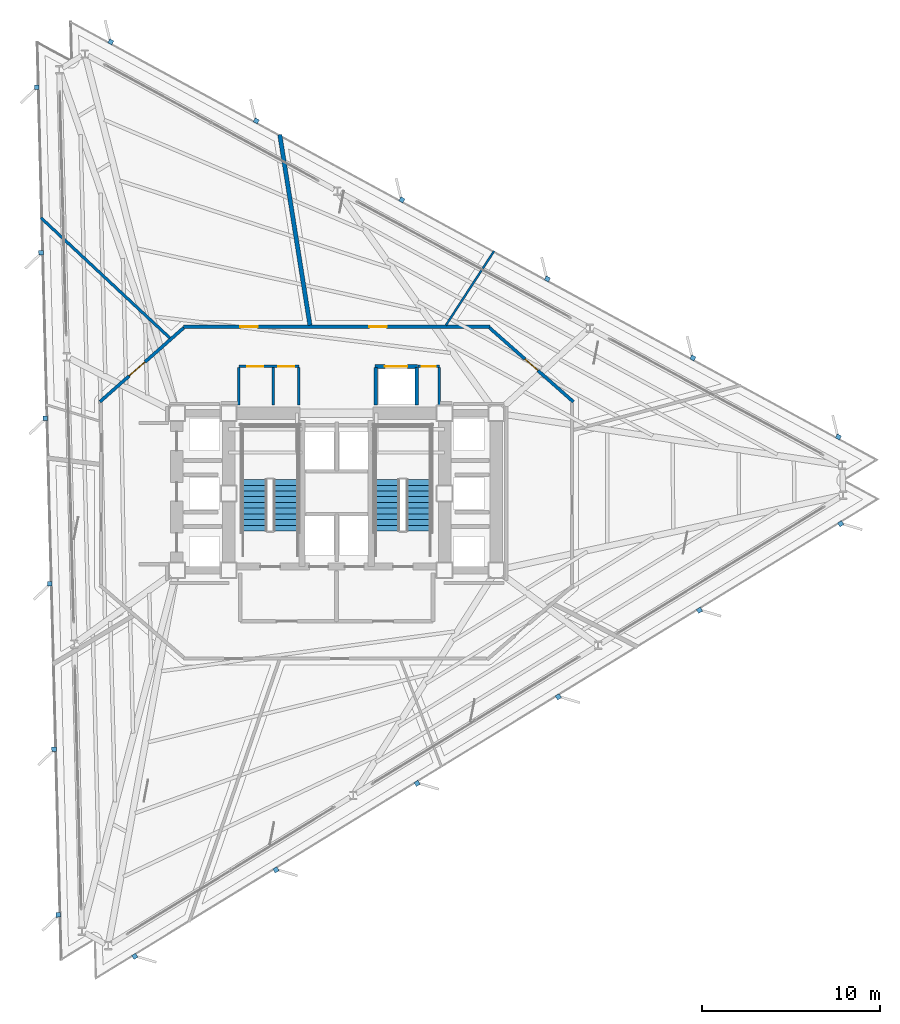
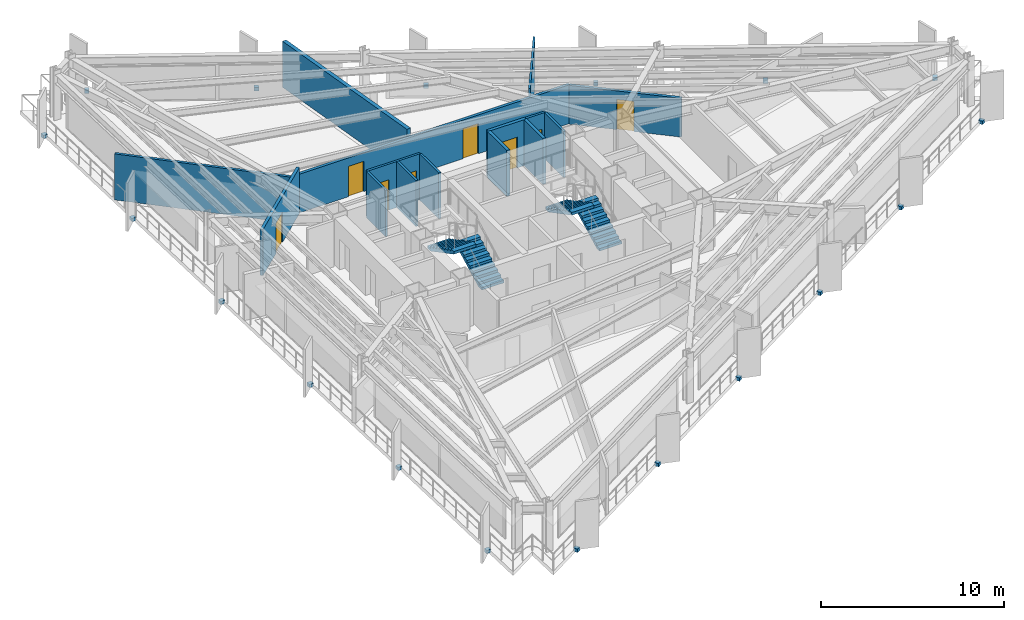
# One storey, part 9 of 14: 18 discrete accessories, 15 walls, 8 doors, 4 stair flights, 8 openings, 2 elements without a shape of their own.
"""IFC4 building model written with IfcOpenShell, lengths in metres."""

from ifc_helpers import new_model, si_unit, direction, frame, frame_2d, origin, origin_2d, place, context, subcontext, project, spatial, polyline, rectangle, outline, extrude, material, layer, layer_set, type_object, element, fill, aggregate, save


model = new_model("IFC4")

# Units and contexts
model_context = context("Model", 3, precision=1e-05, world=origin(), true_north=direction((0.0, 1.0)))
body_context = subcontext(model_context, "Body", "Model", "MODEL_VIEW")
ifc_project = project(units=[si_unit("LENGTHUNIT", "METRE"), si_unit("AREAUNIT", "SQUARE_METRE"), si_unit("VOLUMEUNIT", "CUBIC_METRE"), si_unit("PLANEANGLEUNIT", "RADIAN"), si_unit("MASSUNIT", "GRAM", prefix="KILO")], contexts=[model_context])

# Site, building, storey
site_placement = place(None, origin())
site = spatial("IfcSite", under=ifc_project, at=site_placement, CompositionType="ELEMENT")
building_placement = place(site_placement, origin())
building = spatial("IfcBuilding", under=site, at=building_placement, Name="Rocaltana Carrier Exchange", CompositionType="ELEMENT")
storey_placement = place(building_placement, frame((0.0, 0.0, 35.679931640625)))
storey = spatial("IfcBuildingStorey", under=building, at=storey_placement, Name="L11", CompositionType="ELEMENT", Elevation=35.679931640625)

# Wall
ifc_material_1 = material(Name="Double Acoustic Gypsum Partition", Category="gypsum")
ifc_layer_1 = layer(ifc_material_1, 0.159912109375)
ifc_layer_set_1 = layer_set([ifc_layer_1], Name="Double Acoustic Gypsum Partition")
wall_type_1 = type_object("IfcWallType", Name="Acoustic Studio Partition 160 EI60", PredefinedType="PARTITIONING", material=ifc_layer_set_1)
wall_1_placement = place(storey_placement, frame((-9.343017578125, 8.71240234375, 0.0), z_axis=(0.0, 0.0, 1.0), x_axis=(-0.731347028882, 0.682005515627, 0.0)))
element("IfcWall", 1, at=wall_1_placement, inside=storey, type_object=wall_type_1, Name="L11 Suite Divider Wall D8", PredefinedType="PARTITIONING", context=body_context, shape_type="SweptSolid", body=[
    extrude(rectangle(XDim=9.876220703125, YDim=0.159912109375, at=frame_2d((4.93798828125, 0.0))), origin(), (0.0, 0.0, 1.0), 3.072998046875),
])

# Wall, openings, doors
ifc_material_2 = material(Name="Gypsum & Steel Stud Partition", Category="steel")
ifc_layer_2 = layer(ifc_material_2, 0.179931640625)
ifc_layer_set_2 = layer_set([ifc_layer_2], Name="Gypsum & Steel Stud Partition")
wall_type_2 = type_object("IfcWallType", Name="Corridor Fire Partition 180 EI60", PredefinedType="PARTITIONING", material=ifc_layer_set_2)
wall_2_placement = place(storey_placement, frame((-8.590087890625, 9.35009765625, 0.0), z_axis=(0.0, 0.0, 1.0), x_axis=(1.0, 0.0, 0.0)))
wall_2 = element("IfcWall", 2, at=wall_2_placement, inside=storey, type_object=wall_type_2, Name="L11 Corridor Partition 1", PredefinedType="PARTITIONING", context=body_context, shape_type="SweptSolid", body=[
    extrude(rectangle(XDim=17.18017578125, YDim=0.179931640625, at=frame_2d((8.590087890625, 0.0))), origin(), (0.0, 0.0, 1.0), 2.587158203125),
])
opening_1_placement = place(wall_2_placement, frame((10.430419921875, 0.0, 0.0)))
opening_1 = element("IfcOpeningElement", 3, at=opening_1_placement, cuts=wall_2, Name="Opening D-RM098", PredefinedType="OPENING", context=body_context, shape_type="SweptSolid", body=[
    extrude(rectangle(XDim=0.9599609375, YDim=2.02001953125, at=frame_2d((0.47998046875, 1.010009765625))), frame((0.0, 0.099853515625, 0.0), z_axis=(0.0, -1.0, 0.0), x_axis=(1.0, 0.0, 0.0)), (0.0, 0.0, 1.0), 0.199951171875),
])
opening_2_placement = place(wall_2_placement, frame((3.197998046875, 0.0, 0.0)))
opening_2 = element("IfcOpeningElement", 4, at=opening_2_placement, cuts=wall_2, Name="Opening D-RM098", PredefinedType="OPENING", context=body_context, shape_type="SweptSolid", body=[
    extrude(rectangle(XDim=0.9599609375, YDim=2.02001953125, at=frame_2d((0.47998046875, 1.010009765625))), frame((0.0, 0.099853515625, 0.0), z_axis=(0.0, -1.0, 0.0), x_axis=(1.0, 0.0, 0.0)), (0.0, 0.0, 1.0), 0.199951171875),
])
ifc_material_3 = material(Name="Engineered Hardwood Timber", Category="wood")
door_type_1 = type_object("IfcDoorType", Name="Workspace Single Door 960x2020", OperationType="NOTDEFINED", PredefinedType="DOOR", material=ifc_material_3)
door_1_placement = place(opening_1_placement, origin())
door_1 = element("IfcDoor", 5, at=door_1_placement, inside=storey, type_object=door_type_1, Name="L11 Quiet Focus Lounge Entrance Door", OperationType="SINGLE_SWING_LEFT", OverallHeight=2.02001953125, OverallWidth=0.9599609375, PredefinedType="DOOR", context=body_context, shape_type="SweptSolid", body=[
    extrude(rectangle(XDim=0.9599609375, YDim=2.02001953125, at=frame_2d((0.47998046875, 1.010009765625))), frame((0.0, 0.02490234375, 0.0), z_axis=(0.0, -1.0, 0.0), x_axis=(1.0, 0.0, 0.0)), (0.0, 0.0, 1.0), 0.050048828125),
])
fill(opening_1, door_1)
door_2_placement = place(opening_2_placement, origin())
door_2 = element("IfcDoor", 6, at=door_2_placement, inside=storey, type_object=door_type_1, Name="L11 Incident Briefing Room Entrance Door", OperationType="SINGLE_SWING_RIGHT", OverallHeight=2.02001953125, OverallWidth=0.9599609375, PredefinedType="DOOR", context=body_context, shape_type="SweptSolid", body=[
    extrude(rectangle(XDim=0.9599609375, YDim=2.02001953125, at=frame_2d((0.47998046875, 1.010009765625))), frame((0.0, 0.02490234375, 0.0), z_axis=(0.0, -1.0, 0.0), x_axis=(1.0, 0.0, 0.0)), (0.0, 0.0, 1.0), 0.050048828125),
])
fill(opening_2, door_2)

# Wall, opening, door
wall_3_placement = place(storey_placement, frame((8.5673828125, 9.290283203125, 0.0), z_axis=(0.0, 0.0, 1.0), x_axis=(0.749626463267, -0.66186113768, 0.0)))
wall_3 = element("IfcWall", 7, at=wall_3_placement, inside=storey, type_object=wall_type_2, Name="L11 Corridor Partition 2", PredefinedType="PARTITIONING", context=body_context, shape_type="SweptSolid", body=[
    extrude(rectangle(XDim=6.27001953125, YDim=0.179931640625, at=frame_2d((3.135009765625, 0.0))), origin(), (0.0, 0.0, 1.0), 2.587158203125),
])
opening_3_placement = place(wall_3_placement, frame((2.655029296875, 0.0, 0.0)))
opening_3 = element("IfcOpeningElement", 8, at=opening_3_placement, cuts=wall_3, Name="Opening D-RM098", PredefinedType="OPENING", context=body_context, shape_type="SweptSolid", body=[
    extrude(rectangle(XDim=0.9599609375, YDim=2.02001953125, at=frame_2d((0.47998046875, 1.010009765625))), frame((0.0, 0.099853515625, 0.0), z_axis=(0.0, -1.0, 0.0), x_axis=(1.0, 0.0, 0.0)), (0.0, 0.0, 1.0), 0.199951171875),
])
door_3_placement = place(opening_3_placement, origin())
door_3 = element("IfcDoor", 9, at=door_3_placement, inside=storey, type_object=door_type_1, Name="L11 Peering Conference Room Entrance Door", OperationType="SINGLE_SWING_RIGHT", OverallHeight=2.02001953125, OverallWidth=0.9599609375, PredefinedType="DOOR", context=body_context, shape_type="SweptSolid", body=[
    extrude(rectangle(XDim=0.9599609375, YDim=2.02001953125, at=frame_2d((0.47998046875, 1.010009765625))), frame((0.0, 0.02490234375, 0.0), z_axis=(0.0, -1.0, 0.0), x_axis=(1.0, 0.0, 0.0)), (0.0, 0.0, 1.0), 0.050048828125),
])
fill(opening_3, door_3)

wall_4_placement = place(storey_placement, frame((-13.267578125, 5.140380859375, 0.0), z_axis=(0.0, 0.0, 1.0), x_axis=(0.749626463267, 0.66186113768, 0.0)))
wall_4 = element("IfcWall", 10, at=wall_4_placement, inside=storey, type_object=wall_type_2, Name="L11 Corridor Partition 8", PredefinedType="PARTITIONING", context=body_context, shape_type="SweptSolid", body=[
    extrude(rectangle(XDim=6.27001953125, YDim=0.179931640625, at=frame_2d((3.135009765625, 0.0))), origin(), (0.0, 0.0, 1.0), 3.072998046875),
])
opening_4_placement = place(wall_4_placement, frame((2.193115234375, 0.0, 0.0)))
opening_4 = element("IfcOpeningElement", 11, at=opening_4_placement, cuts=wall_4, Name="Opening D-SU120", PredefinedType="OPENING", context=body_context, shape_type="SweptSolid", body=[
    extrude(rectangle(XDim=1.179931640625, YDim=2.02001953125, at=frame_2d((0.58984375, 1.010009765625))), frame((0.0, 0.099853515625, 0.0), z_axis=(0.0, -1.0, 0.0), x_axis=(1.0, 0.0, 0.0)), (0.0, 0.0, 1.0), 0.199951171875),
])
ifc_material_4 = material(Name="Engineered Hardwood Timber", Category="wood")
door_type_2 = type_object("IfcDoorType", Name="Suite Double Entrance Door 1180x2020", OperationType="NOTDEFINED", PredefinedType="DOOR", material=ifc_material_4)
door_4_placement = place(opening_4_placement, origin())
door_4 = element("IfcDoor", 12, at=door_4_placement, inside=storey, type_object=door_type_2, Name="L11 Carrier Peering Suite Entrance Door", OperationType="SINGLE_SWING_LEFT", OverallHeight=2.02001953125, OverallWidth=1.179931640625, PredefinedType="DOOR", context=body_context, shape_type="SweptSolid", body=[
    extrude(rectangle(XDim=1.179931640625, YDim=2.02001953125, at=frame_2d((0.58984375, 1.010009765625))), frame((0.0, 0.02490234375, 0.0), z_axis=(0.0, -1.0, 0.0), x_axis=(1.0, 0.0, 0.0)), (0.0, 0.0, 1.0), 0.050048828125),
])
fill(opening_4, door_4)

# Walls
ifc_material_5 = material(Name="Aluminium 6063-T6 & Acoustic Glass", Category="aluminium")
ifc_layer_3 = layer(ifc_material_5, 0.114990234375)
ifc_layer_set_3 = layer_set([ifc_layer_3], Name="Aluminium 6063-T6 & Acoustic Glass")
wall_type_3 = type_object("IfcWallType", Name="Demountable Glazed Lab Partition 115", PredefinedType="MOVABLE", material=ifc_layer_set_3)
wall_5_placement = place(storey_placement, frame((6.123779296875, 9.429931640625, 0.0), z_axis=(0.0, 0.0, 1.0), x_axis=(0.544668366902, 0.838651518866, 0.0)))
element("IfcWall", 13, at=wall_5_placement, inside=storey, type_object=wall_type_3, Name="L11 Suite Divider Wall D6", PredefinedType="MOVABLE", context=body_context, shape_type="SweptSolid", body=[
    extrude(rectangle(XDim=4.9619140625, YDim=0.114990234375, at=frame_2d((2.48095703125, 0.0))), origin(), (0.0, 0.0, 1.0), 3.072998046875),
])
ifc_material_6 = material(Name="Acoustic Calcium Silicate Partition", Category="gypsum")
ifc_layer_4 = layer(ifc_material_6, 0.239990234375)
ifc_layer_set_4 = layer_set([ifc_layer_4], Name="Acoustic Calcium Silicate Partition")
wall_type_4 = type_object("IfcWallType", Name="Heavy Lab Partition 240 EI90", PredefinedType="PARTITIONING", material=ifc_layer_set_4)
wall_6_placement = place(storey_placement, frame((-1.49365234375, 9.429931640625, 0.0), z_axis=(0.0, 0.0, 1.0), x_axis=(-0.156418067091, 0.987690937636, 0.0)))
element("IfcWall", 14, at=wall_6_placement, inside=storey, type_object=wall_type_4, Name="L11 Suite Divider Wall D7", PredefinedType="PARTITIONING", context=body_context, shape_type="SweptSolid", body=[
    extrude(rectangle(XDim=10.81640625, YDim=0.239990234375, at=frame_2d((5.408203125, 0.0))), origin(), (0.0, 0.0, 1.0), 3.072998046875),
])
ifc_material_7 = material(Name="Reinforced Concrete Block C35/45", Category="concrete")
ifc_layer_5 = layer(ifc_material_7, 0.199951171875)
ifc_layer_set_5 = layer_set([ifc_layer_5], Name="Reinforced Concrete Block C35/45")
wall_type_5 = type_object("IfcWallType", Name="Lift Hoistway Enclosure Wall 200 EI120", PredefinedType="PARTITIONING", material=ifc_layer_set_5)
for number, where, z_axis, x_axis, name in (
    (15, (2.199951171875, 4.949951171875, 0.0), (0.0, 0.0, 1.0), (0.0, 1.0, 0.0), "L11 Goods Lift West Wall"),
    (16, (4.47998046875, 4.949951171875, 0.0), (0.0, 0.0, 1.0), (0.0, 1.0, 0.0), "L11 Goods Lift East Wall"),
):
    element("IfcWall", number, at=place(storey_placement, frame(where, z_axis=z_axis, x_axis=x_axis)), inside=storey, type_object=wall_type_5, Name=name, PredefinedType="PARTITIONING", context=body_context, shape_type="SweptSolid", body=[
        extrude(rectangle(XDim=2.10009765625, YDim=0.199951171875, at=frame_2d((1.050048828125, 0.0))), origin(), (0.0, 0.0, 1.0), 3.072998046875),
    ])

# Wall, opening, door
wall_7_placement = place(storey_placement, frame((2.14990234375, 7.1201171875, 0.0), z_axis=(0.0, 0.0, 1.0), x_axis=(1.0, 0.0, 0.0)))
wall_7 = element("IfcWall", 17, at=wall_7_placement, inside=storey, type_object=wall_type_5, Name="L11 Goods Lift Front Wall", PredefinedType="PARTITIONING", context=body_context, shape_type="SweptSolid", body=[
    extrude(rectangle(XDim=2.380126953125, YDim=0.199951171875, at=frame_2d((1.18994140625, 0.0))), origin(), (0.0, 0.0, 1.0), 3.072998046875),
])
opening_5_placement = place(wall_7_placement, frame((0.56005859375, 0.0, 0.0)))
opening_5 = element("IfcOpeningElement", 18, at=opening_5_placement, cuts=wall_7, Name="Opening LD-130", PredefinedType="OPENING", context=body_context, shape_type="SweptSolid", body=[
    extrude(rectangle(XDim=1.260009765625, YDim=2.06005859375, at=frame_2d((0.6298828125, 1.030029296875))), frame((0.0, 0.10986328125, 0.0), z_axis=(0.0, -1.0, 0.0), x_axis=(1.0, 0.0, 0.0)), (0.0, 0.0, 1.0), 0.219970703125),
])
ifc_material_8 = material(Name="Brushed Stainless Sliding Door Leaf", Category="steel")
door_type_3 = type_object("IfcDoorType", Name="Goods Lift Landing Sliding Door 1260x2060", OperationType="NOTDEFINED", PredefinedType="DOOR", material=ifc_material_8)
door_5_placement = place(opening_5_placement, origin())
door_5 = element("IfcDoor", 19, at=door_5_placement, inside=storey, type_object=door_type_3, Name="L11 Goods Lift GL-1 Landing Door", OperationType="SLIDING_TO_LEFT", OverallHeight=2.06005859375, OverallWidth=1.260009765625, PredefinedType="DOOR", context=body_context, shape_type="SweptSolid", body=[
    extrude(rectangle(XDim=1.260009765625, YDim=2.06005859375, at=frame_2d((0.6298828125, 1.030029296875))), frame((0.0, 0.02490234375, 0.0), z_axis=(0.0, -1.0, 0.0), x_axis=(1.0, 0.0, 0.0)), (0.0, 0.0, 1.0), 0.050048828125),
])
fill(opening_5, door_5)

# Walls
ifc_material_9 = material(Name="Moisture-Resistant Masonry C30/37", Category="masonry")
ifc_layer_6 = layer(ifc_material_9, 0.139892578125)
ifc_layer_set_6 = layer_set([ifc_layer_6], Name="Moisture-Resistant Masonry C30/37")
wall_type_6 = type_object("IfcWallType", Name="Wet-Area Sanitary Partition 140", PredefinedType="PARTITIONING", material=ifc_layer_set_6)
for number, where, z_axis, x_axis, name in (
    (20, (-5.47998046875, 4.949951171875, 0.0), (0.0, 0.0, 1.0), (0.0, 1.0, 0.0), "L11 Sanitary West Wall"),
    (21, (-3.56005859375, 4.949951171875, 0.0), (0.0, 0.0, 1.0), (0.0, 1.0, 0.0), "L11 Sanitary Divider"),
    (22, (-2.1201171875, 4.949951171875, 0.0), (0.0, 0.0, 1.0), (0.0, 1.0, 0.0), "L11 Sanitary East Wall"),
):
    element("IfcWall", number, at=place(storey_placement, frame(where, z_axis=z_axis, x_axis=x_axis)), inside=storey, type_object=wall_type_6, Name=name, PredefinedType="PARTITIONING", context=body_context, shape_type="SweptSolid", body=[
        extrude(rectangle(XDim=2.10009765625, YDim=0.139892578125, at=frame_2d((1.050048828125, 0.0))), origin(), (0.0, 0.0, 1.0), 3.072998046875),
    ])

# Wall, openings, doors
wall_8_placement = place(storey_placement, frame((-5.47998046875, 7.1201171875, 0.0), z_axis=(0.0, 0.0, 1.0), x_axis=(1.0, 0.0, 0.0)))
wall_8 = element("IfcWall", 23, at=wall_8_placement, inside=storey, type_object=wall_type_6, Name="L11 Sanitary North Wall", PredefinedType="PARTITIONING", context=body_context, shape_type="SweptSolid", body=[
    extrude(rectangle(XDim=3.35986328125, YDim=0.139892578125, at=frame_2d((1.679931640625, 0.0))), origin(), (0.0, 0.0, 1.0), 3.072998046875),
])
opening_6_placement = place(wall_8_placement, frame((0.47998046875, 0.0, 0.0)))
opening_6 = element("IfcOpeningElement", 24, at=opening_6_placement, cuts=wall_8, Name="Opening D-WC090", PredefinedType="OPENING", context=body_context, shape_type="SweptSolid", body=[
    extrude(rectangle(XDim=0.8798828125, YDim=2.02001953125, at=frame_2d((0.43994140625, 1.010009765625))), frame((0.0, 0.079833984375, 0.0), z_axis=(0.0, -1.0, 0.0), x_axis=(1.0, 0.0, 0.0)), (0.0, 0.0, 1.0), 0.159912109375),
])
opening_7_placement = place(wall_8_placement, frame((2.219970703125, 0.0, 0.0)))
opening_7 = element("IfcOpeningElement", 25, at=opening_7_placement, cuts=wall_8, Name="Opening D-WC090", PredefinedType="OPENING", context=body_context, shape_type="SweptSolid", body=[
    extrude(rectangle(XDim=0.8798828125, YDim=2.02001953125, at=frame_2d((0.43994140625, 1.010009765625))), frame((0.0, 0.079833984375, 0.0), z_axis=(0.0, -1.0, 0.0), x_axis=(1.0, 0.0, 0.0)), (0.0, 0.0, 1.0), 0.159912109375),
])
ifc_material_10 = material(Name="High-Pressure Laminate Timber", Category="wood")
door_type_4 = type_object("IfcDoorType", Name="Restroom & Accessible WC Door 880x2020", OperationType="NOTDEFINED", PredefinedType="DOOR", material=ifc_material_10)
door_6_placement = place(opening_6_placement, origin())
door_6 = element("IfcDoor", 26, at=door_6_placement, inside=storey, type_object=door_type_4, Name="L11 Accessible Toilet Door", OperationType="SINGLE_SWING_RIGHT", OverallHeight=2.02001953125, OverallWidth=0.8798828125, PredefinedType="DOOR", context=body_context, shape_type="SweptSolid", body=[
    extrude(rectangle(XDim=0.8798828125, YDim=2.02001953125, at=frame_2d((0.43994140625, 1.010009765625))), frame((0.0, 0.02490234375, 0.0), z_axis=(0.0, -1.0, 0.0), x_axis=(1.0, 0.0, 0.0)), (0.0, 0.0, 1.0), 0.050048828125),
])
fill(opening_6, door_6)
door_7_placement = place(opening_7_placement, origin())
door_7 = element("IfcDoor", 27, at=door_7_placement, inside=storey, type_object=door_type_4, Name="L11 Staff Restroom Door", OperationType="SINGLE_SWING_LEFT", OverallHeight=2.02001953125, OverallWidth=0.8798828125, PredefinedType="DOOR", context=body_context, shape_type="SweptSolid", body=[
    extrude(rectangle(XDim=0.8798828125, YDim=2.02001953125, at=frame_2d((0.43994140625, 1.010009765625))), frame((0.0, 0.02490234375, 0.0), z_axis=(0.0, -1.0, 0.0), x_axis=(1.0, 0.0, 0.0)), (0.0, 0.0, 1.0), 0.050048828125),
])
fill(opening_7, door_7)

# Wall
wall_9_placement = place(storey_placement, frame((5.760009765625, 4.949951171875, 0.0), z_axis=(0.0, 0.0, 1.0), x_axis=(0.0, 1.0, 0.0)))
element("IfcWall", 28, at=wall_9_placement, inside=storey, type_object=wall_type_6, Name="L11 Riser East Wall", PredefinedType="PARTITIONING", context=body_context, shape_type="SweptSolid", body=[
    extrude(rectangle(XDim=2.10009765625, YDim=0.139892578125, at=frame_2d((1.050048828125, 0.0))), origin(), (0.0, 0.0, 1.0), 3.072998046875),
])

# Wall, opening, door
wall_10_placement = place(storey_placement, frame((4.56005859375, 7.1201171875, 0.0), z_axis=(0.0, 0.0, 1.0), x_axis=(1.0, 0.0, 0.0)))
wall_10 = element("IfcWall", 29, at=wall_10_placement, inside=storey, type_object=wall_type_6, Name="L11 Riser North Wall", PredefinedType="PARTITIONING", context=body_context, shape_type="SweptSolid", body=[
    extrude(rectangle(XDim=1.199951171875, YDim=0.139892578125, at=frame_2d((0.60009765625, 0.0))), origin(), (0.0, 0.0, 1.0), 3.072998046875),
])
opening_8_placement = place(wall_10_placement, frame((0.2099609375, 0.0, 0.0)))
opening_8 = element("IfcOpeningElement", 30, at=opening_8_placement, cuts=wall_10, Name="Opening D-RS082", PredefinedType="OPENING", context=body_context, shape_type="SweptSolid", body=[
    extrude(rectangle(XDim=0.780029296875, YDim=2.010009765625, at=frame_2d((0.39013671875, 1.0048828125))), frame((0.0, 0.079833984375, 0.0), z_axis=(0.0, -1.0, 0.0), x_axis=(1.0, 0.0, 0.0)), (0.0, 0.0, 1.0), 0.159912109375),
])
ifc_material_11 = material(Name="Hollow Metal Access Door Leaf", Category="steel")
door_type_5 = type_object("IfcDoorType", Name="Riser & Service Closet Door 780x2010", OperationType="NOTDEFINED", PredefinedType="DOOR", material=ifc_material_11)
door_8_placement = place(opening_8_placement, origin())
door_8 = element("IfcDoor", 31, at=door_8_placement, inside=storey, type_object=door_type_5, Name="L11 Fibre Riser Closet Door", OperationType="SINGLE_SWING_RIGHT", OverallHeight=2.010009765625, OverallWidth=0.780029296875, PredefinedType="DOOR", context=body_context, shape_type="SweptSolid", body=[
    extrude(rectangle(XDim=0.780029296875, YDim=2.010009765625, at=frame_2d((0.39013671875, 1.0048828125))), frame((0.0, 0.02490234375, 0.0), z_axis=(0.0, -1.0, 0.0), x_axis=(1.0, 0.0, 0.0)), (0.0, 0.0, 1.0), 0.050048828125),
])
fill(opening_8, door_8)

# Stair, stair flights
ifc_material_12 = material(Name="Precast concrete C45/55", Category="concrete")
stair_type = type_object("IfcStairType", Name="Standard Dog-Leg Stair 160", PredefinedType="HALF_TURN_STAIR", material=ifc_material_12)
stair_1_placement = place(storey_placement, origin())
stair_1 = element("IfcStair", 32, at=stair_1_placement, inside=storey, type_object=stair_type, Name="L11 Core West Exit Stair ST-1", PredefinedType="HALF_TURN_STAIR")
ifc_material_13 = material(Name="Precast concrete C45/55", Category="concrete")
stair_flight_type = type_object("IfcStairFlightType", Name="Precast Stair Flight 160", PredefinedType="STRAIGHT", material=ifc_material_13)
stair_flight_1_placement = place(storey_placement, frame((-2.840087890625, -2.10009765625, 0.0), z_axis=(0.0, 0.0, 1.0), x_axis=(0.0, 1.0, 0.0)))
stair_flight_1 = element("IfcStairFlight", 33, at=stair_flight_1_placement, type_object=stair_flight_type, Name="ST-1 flight 1", NumberOfRisers=10, NumberOfTreads=9, PredefinedType="STRAIGHT", RiserHeight=0.168, TreadLength=0.32, context=body_context, shape_type="SweptSolid", body=[
    extrude(outline(polyline([(0.0, 0.0), (0.0, 0.16796875), (0.320068359375, 0.16796875), (0.320068359375, 0.3359375), (0.639892578125, 0.3359375), (0.639892578125, 0.50390625), (0.9599609375, 0.50390625), (0.9599609375, 0.672119140625), (1.280029296875, 0.672119140625), (1.280029296875, 0.840087890625), (1.60009765625, 0.840087890625), (1.60009765625, 1.008056640625), (1.919921875, 1.008056640625), (1.919921875, 1.176025390625), (2.239990234375, 1.176025390625), (2.239990234375, 1.343994140625), (2.56005859375, 1.343994140625), (2.56005859375, 1.511962890625), (2.8798828125, 1.511962890625), (2.8798828125, 1.679931640625), (2.8798828125, 1.331298828125), (0.343994140625, 0.0), (0.0, 0.0)])), frame((0.0, 0.699951171875, 0.0), z_axis=(0.0, -1.0, 0.0), x_axis=(1.0, 0.0, 0.0)), (0.0, 0.0, 1.0), 1.39990234375),
])
stair_flight_2_placement = place(storey_placement, frame((-4.60009765625, 0.780029296875, 1.68017578125), z_axis=(0.0, 0.0, 1.0), x_axis=(0.0, -1.0, 0.0)))
stair_flight_2 = element("IfcStairFlight", 34, at=stair_flight_2_placement, type_object=stair_flight_type, Name="ST-1 flight 2", NumberOfRisers=10, NumberOfTreads=9, PredefinedType="STRAIGHT", RiserHeight=0.168, TreadLength=0.32, context=body_context, shape_type="SweptSolid", body=[
    extrude(outline(polyline([(0.0, 0.0), (0.0, 0.16796875), (0.320068359375, 0.16796875), (0.320068359375, 0.3359375), (0.639892578125, 0.3359375), (0.639892578125, 0.50390625), (0.9599609375, 0.50390625), (0.9599609375, 0.672119140625), (1.280029296875, 0.672119140625), (1.280029296875, 0.840087890625), (1.60009765625, 0.840087890625), (1.60009765625, 1.008056640625), (1.919921875, 1.008056640625), (1.919921875, 1.176025390625), (2.239990234375, 1.176025390625), (2.239990234375, 1.343994140625), (2.56005859375, 1.343994140625), (2.56005859375, 1.511962890625), (2.8798828125, 1.511962890625), (2.8798828125, 1.679931640625), (2.8798828125, 1.331298828125), (0.343994140625, 0.0), (0.0, 0.0)])), frame((0.0, 0.699951171875, 0.0), z_axis=(0.0, -1.0, 0.0), x_axis=(1.0, 0.0, 0.0)), (0.0, 0.0, 1.0), 1.39990234375),
])
aggregate(stair_1, [stair_flight_1, stair_flight_2])

stair_2_placement = place(storey_placement, origin())
stair_2 = element("IfcStair", 35, at=stair_2_placement, inside=storey, type_object=stair_type, Name="L11 Core East Exit Stair ST-2", PredefinedType="HALF_TURN_STAIR")
stair_flight_3_placement = place(storey_placement, frame((4.60009765625, -2.10009765625, 0.0), z_axis=(0.0, 0.0, 1.0), x_axis=(0.0, 1.0, 0.0)))
stair_flight_3 = element("IfcStairFlight", 36, at=stair_flight_3_placement, type_object=stair_flight_type, Name="ST-2 flight 1", NumberOfRisers=10, NumberOfTreads=9, PredefinedType="STRAIGHT", RiserHeight=0.168, TreadLength=0.32, context=body_context, shape_type="SweptSolid", body=[
    extrude(outline(polyline([(0.0, 0.0), (0.0, 0.16796875), (0.320068359375, 0.16796875), (0.320068359375, 0.3359375), (0.639892578125, 0.3359375), (0.639892578125, 0.50390625), (0.9599609375, 0.50390625), (0.9599609375, 0.672119140625), (1.280029296875, 0.672119140625), (1.280029296875, 0.840087890625), (1.60009765625, 0.840087890625), (1.60009765625, 1.008056640625), (1.919921875, 1.008056640625), (1.919921875, 1.176025390625), (2.239990234375, 1.176025390625), (2.239990234375, 1.343994140625), (2.56005859375, 1.343994140625), (2.56005859375, 1.511962890625), (2.8798828125, 1.511962890625), (2.8798828125, 1.679931640625), (2.8798828125, 1.331298828125), (0.343994140625, 0.0), (0.0, 0.0)])), frame((0.0, 0.699951171875, 0.0), z_axis=(0.0, -1.0, 0.0), x_axis=(1.0, 0.0, 0.0)), (0.0, 0.0, 1.0), 1.39990234375),
])
stair_flight_4_placement = place(storey_placement, frame((2.840087890625, 0.780029296875, 1.68017578125), z_axis=(0.0, 0.0, 1.0), x_axis=(0.0, -1.0, 0.0)))
stair_flight_4 = element("IfcStairFlight", 37, at=stair_flight_4_placement, type_object=stair_flight_type, Name="ST-2 flight 2", NumberOfRisers=10, NumberOfTreads=9, PredefinedType="STRAIGHT", RiserHeight=0.168, TreadLength=0.32, context=body_context, shape_type="SweptSolid", body=[
    extrude(outline(polyline([(0.0, 0.0), (0.0, 0.16796875), (0.320068359375, 0.16796875), (0.320068359375, 0.3359375), (0.639892578125, 0.3359375), (0.639892578125, 0.50390625), (0.9599609375, 0.50390625), (0.9599609375, 0.672119140625), (1.280029296875, 0.672119140625), (1.280029296875, 0.840087890625), (1.60009765625, 0.840087890625), (1.60009765625, 1.008056640625), (1.919921875, 1.008056640625), (1.919921875, 1.176025390625), (2.239990234375, 1.176025390625), (2.239990234375, 1.343994140625), (2.56005859375, 1.343994140625), (2.56005859375, 1.511962890625), (2.8798828125, 1.511962890625), (2.8798828125, 1.679931640625), (2.8798828125, 1.331298828125), (0.343994140625, 0.0), (0.0, 0.0)])), frame((0.0, 0.699951171875, 0.0), z_axis=(0.0, -1.0, 0.0), x_axis=(1.0, 0.0, 0.0)), (0.0, 0.0, 1.0), 1.39990234375),
])
aggregate(stair_2, [stair_flight_3, stair_flight_4])

# Discrete accessories
ifc_material_14 = material(Name="Brushed Architectural Stainless Metal", Category="steel")
ifc_layer_7 = layer(ifc_material_14, 0.219970703125)
ifc_layer_set_7 = layer_set([ifc_layer_7], Name="Brushed Architectural Stainless Metal")
discrete_accessory_type = type_object("IfcDiscreteAccessoryType", Name="Stainless Fin Slab-Edge Bracket 260x260x220", PredefinedType="BRACKET", material=ifc_layer_set_7)
for number, where, z_axis, x_axis, name in (
    (38, (28.121337890625, 3.171875, -0.2099609375), (0.0, 0.0, 1.0), (-0.878817112662, 0.47715876026, 0.0), "L11 Sandstone Fin Edge Bracket F1-01"),
    (39, (19.9658203125, 7.599853515625, -0.2099609375), (0.0, 0.0, 1.0), (-0.878817112662, 0.47715876026, 0.0), "L11 Sandstone Fin Edge Bracket F1-02"),
    (40, (11.810546875, 12.02783203125, -0.2099609375), (0.0, 0.0, 1.0), (-0.878817112662, 0.47715876026, 0.0), "L11 Sandstone Fin Edge Bracket F1-03"),
    (41, (3.655029296875, 16.4560546875, -0.2099609375), (0.0, 0.0, 1.0), (-0.878817112662, 0.47715876026, 0.0), "L11 Sandstone Fin Edge Bracket F1-04"),
    (42, (-4.50048828125, 20.884033203125, -0.2099609375), (0.0, 0.0, 1.0), (-0.878817112662, 0.47715876026, 0.0), "L11 Sandstone Fin Edge Bracket F1-05"),
    (43, (-12.65576171875, 25.31201171875, -0.2099609375), (0.0, 0.0, 1.0), (-0.878817112662, 0.47715876026, 0.0), "L11 Sandstone Fin Edge Bracket F1-06"),
    (44, (-16.8076171875, 22.767822265625, -0.2099609375), (0.0, 0.0, 1.0), (0.026176948308, -0.999657324976, 0.0), "L11 Sandstone Fin Edge Bracket F2-01"),
    (45, (-16.564697265625, 13.490966796875, -0.2099609375), (0.0, 0.0, 1.0), (0.026176948308, -0.999657324976, 0.0), "L11 Sandstone Fin Edge Bracket F2-02"),
    (46, (-16.32177734375, 4.214111328125, -0.2099609375), (0.0, 0.0, 1.0), (0.026176948308, -0.999657324976, 0.0), "L11 Sandstone Fin Edge Bracket F2-03"),
    (47, (-16.078857421875, -5.0625, -0.2099609375), (0.0, 0.0, 1.0), (0.026176948308, -0.999657324976, 0.0), "L11 Sandstone Fin Edge Bracket F2-04"),
    (48, (-15.8359375, -14.33935546875, -0.2099609375), (0.0, 0.0, 1.0), (0.026176948308, -0.999657324976, 0.0), "L11 Sandstone Fin Edge Bracket F2-05"),
    (49, (-15.593017578125, -23.6162109375, -0.2099609375), (0.0, 0.0, 1.0), (0.026176948308, -0.999657324976, 0.0), "L11 Sandstone Fin Edge Bracket F2-06"),
    (50, (-11.313720703125, -25.939697265625, -0.2099609375), (0.0, 0.0, 1.0), (0.852640164354, 0.522498564716, 0.0), "L11 Sandstone Fin Edge Bracket F3-01"),
    (51, (-3.401123046875, -21.0908203125, -0.2099609375), (0.0, 0.0, 1.0), (0.852640164354, 0.522498564716, 0.0), "L11 Sandstone Fin Edge Bracket F3-02"),
    (52, (4.51123046875, -16.2421875, -0.2099609375), (0.0, 0.0, 1.0), (0.852640164354, 0.522498564716, 0.0), "L11 Sandstone Fin Edge Bracket F3-03"),
    (53, (12.423828125, -11.393310546875, -0.2099609375), (0.0, 0.0, 1.0), (0.852640164354, 0.522498564716, 0.0), "L11 Sandstone Fin Edge Bracket F3-04"),
    (54, (20.336181640625, -6.54443359375, -0.2099609375), (0.0, 0.0, 1.0), (0.852640164354, 0.522498564716, 0.0), "L11 Sandstone Fin Edge Bracket F3-05"),
    (55, (28.248779296875, -1.69580078125, -0.2099609375), (0.0, 0.0, 1.0), (0.852640164354, 0.522498564716, 0.0), "L11 Sandstone Fin Edge Bracket F3-06"),
):
    element("IfcDiscreteAccessory", number, at=place(storey_placement, frame(where, z_axis=z_axis, x_axis=x_axis)), inside=storey, type_object=discrete_accessory_type, Name=name, PredefinedType="BRACKET", context=body_context, shape_type="SweptSolid", body=[
        extrude(rectangle(XDim=0.260009765625, YDim=0.260009765625, at=origin_2d()), origin(), (0.0, 0.0, 1.0), 0.219970703125),
    ])

save(model, "model.ifc")
